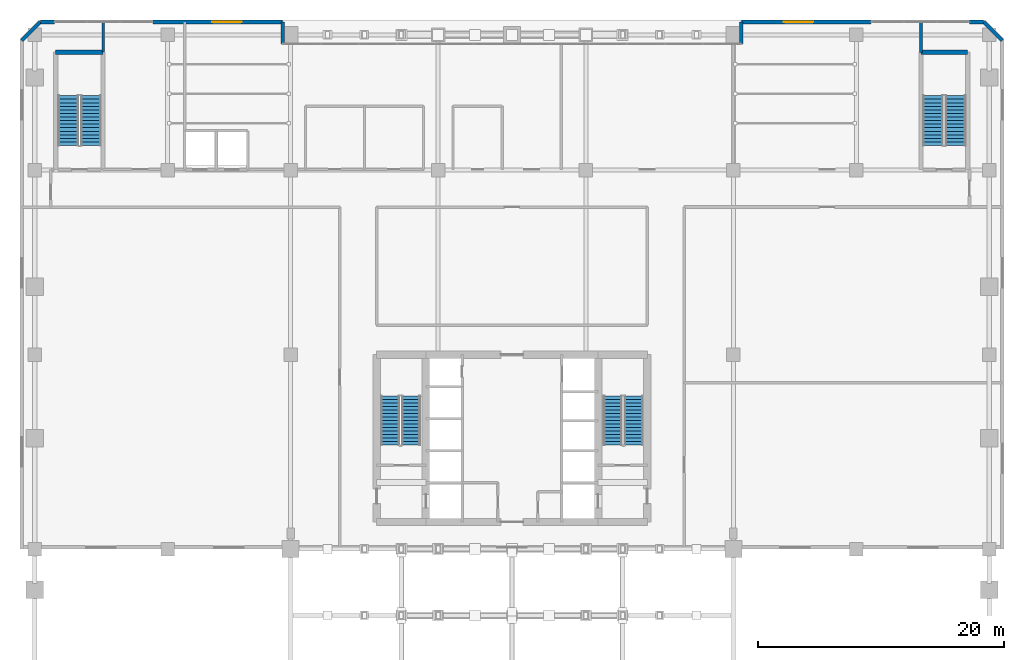
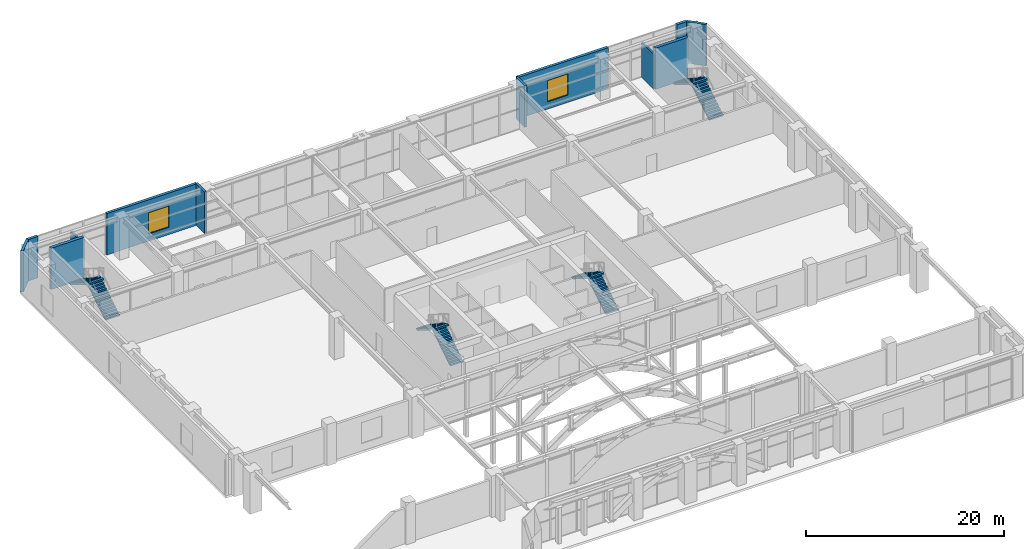
# One storey, part 29 of 32: 12 walls, 8 stair flights, 2 windows, 2 openings, 4 elements without a shape of their own.
"""IFC4 building model written with IfcOpenShell, lengths in metres."""

from ifc_helpers import new_model, si_unit, direction, frame, frame_2d, origin, place, context, subcontext, project, spatial, polyline, rectangle, outline, extrude, material, layer, layer_set, type_object, element, fill, aggregate, save


model = new_model("IFC4")

# Units and contexts
model_context = context("Model", 3, precision=1e-05, world=origin(), true_north=direction((0.0, 1.0)))
body_context = subcontext(model_context, "Body", "Model", "MODEL_VIEW")
ifc_project = project(units=[si_unit("LENGTHUNIT", "METRE"), si_unit("AREAUNIT", "SQUARE_METRE"), si_unit("VOLUMEUNIT", "CUBIC_METRE"), si_unit("PLANEANGLEUNIT", "RADIAN"), si_unit("MASSUNIT", "GRAM", prefix="KILO")], contexts=[model_context])

# Site, building, storey
site_placement = place(None, origin())
site = spatial("IfcSite", under=ifc_project, at=site_placement, CompositionType="ELEMENT")
building_placement = place(site_placement, origin())
building = spatial("IfcBuilding", under=site, at=building_placement, Name="Sarneth Arch Tower", CompositionType="ELEMENT")
storey_placement = place(building_placement, frame((0.0, 0.0, 11.39990234375)))
storey = spatial("IfcBuildingStorey", under=building, at=storey_placement, Name="L02", CompositionType="ELEMENT", Elevation=11.39990234375)

# Walls
ifc_material_1 = material(Name="Concrete C50/60", Category="concrete")
ifc_layer_1 = layer(ifc_material_1, 0.35009765625)
ifc_layer_set_1 = layer_set([ifc_layer_1], Name="Concrete C50/60")
wall_type_1 = type_object("IfcWallType", Name="WALL-CORE-350", PredefinedType="SHEAR", material=ifc_layer_set_1)
wall_1_placement = place(storey_placement, frame((10.89990234375, 73.39990234375, 0.0), z_axis=(0.0, 0.0, 1.0), x_axis=(1.0, 0.0, 0.0)))
element("IfcWall", 1, at=wall_1_placement, inside=storey, type_object=wall_type_1, Name="L02 Podium stair core wall STP1-N", PredefinedType="SHEAR", context=body_context, shape_type="SweptSolid", body=[
    extrude(rectangle(XDim=3.85009765625, YDim=0.35009765625, at=frame_2d((1.925048828125, 0.0))), origin(), (0.0, 0.0, 1.0), 5.10009765625),
])
wall_2_placement = place(storey_placement, frame((81.25, 73.39990234375, 0.0), z_axis=(0.0, 0.0, 1.0), x_axis=(1.0, 0.0, 0.0)))
element("IfcWall", 2, at=wall_2_placement, inside=storey, type_object=wall_type_1, Name="L02 Podium stair core wall STP2-N", PredefinedType="SHEAR", context=body_context, shape_type="SweptSolid", body=[
    extrude(rectangle(XDim=3.800048828125, YDim=0.35009765625, at=frame_2d((1.89990234375, 0.0))), origin(), (0.0, 0.0, 1.0), 5.10009765625),
])
ifc_material_2 = material(Name="Extruded terracotta rainscreen on Concrete C40/50 backing", Category="masonry")
ifc_layer_2 = layer(ifc_material_2, 0.280029296875)
ifc_layer_set_2 = layer_set([ifc_layer_2], Name="Extruded terracotta rainscreen on Concrete C40/50 backing")
wall_type_2 = type_object("IfcWallType", Name="WALL-EXT-TERRA-280", PredefinedType="SOLIDWALL", material=ifc_layer_set_2)
for number, where, z_axis, x_axis, name in (
    (3, (66.64990234375, 75.85009765625, 0.0), (0.0, 0.0, 1.0), (0.0, -1.0, 0.0), "L02 North-east arch portal return"),
    (4, (29.35009765625, 74.050048828125, 0.0), (0.0, 0.0, 1.0), (0.0, 1.0, 0.0), "L02 North-west arch portal return"),
):
    element("IfcWall", number, at=place(storey_placement, frame(where, z_axis=z_axis, x_axis=x_axis)), inside=storey, type_object=wall_type_2, Name=name, PredefinedType="SOLIDWALL", context=body_context, shape_type="SweptSolid", body=[
        extrude(rectangle(XDim=1.800048828125, YDim=0.280029296875, at=frame_2d((0.89990234375, 0.0))), origin(), (0.0, 0.0, 1.0), 5.10009765625),
    ])
for number, where, z_axis, x_axis, name in (
    (5, (87.85009765625, 74.35009765625, 0.0), (0.0, 0.0, 1.0), (-0.707106781187, 0.707106781187, 0.0), "L02 Podium chamfer terracotta wall NE"),
    (6, (9.64990234375, 75.85009765625, 0.0), (0.0, 0.0, 1.0), (-0.707106781187, -0.707106781187, 0.0), "L02 Podium chamfer terracotta wall NW"),
):
    element("IfcWall", number, at=place(storey_placement, frame(where, z_axis=z_axis, x_axis=x_axis)), inside=storey, type_object=wall_type_2, Name=name, PredefinedType="SOLIDWALL", context=body_context, shape_type="SweptSolid", body=[
        extrude(rectangle(XDim=2.121337890625, YDim=0.280029296875, at=frame_2d((1.060546875, 0.0))), origin(), (0.0, 0.0, 1.0), 5.10009765625),
    ])
ifc_material_3 = material(Name="Extruded terracotta rainscreen on Concrete C40/50 backing", Category="masonry")
ifc_layer_3 = layer(ifc_material_3, 0.320068359375)
ifc_layer_set_3 = layer_set([ifc_layer_3], Name="Extruded terracotta rainscreen on Concrete C40/50 backing")
wall_type_3 = type_object("IfcWallType", Name="WALL-EXT-TERRA-320", PredefinedType="SOLIDWALL", material=ifc_layer_set_3)
for number, where, z_axis, x_axis, name in (
    (7, (86.35009765625, 75.85009765625, 0.0), (0.0, 0.0, 1.0), (-1.0, 0.0, 0.0), "L02 North-east pier"),
    (8, (10.800048828125, 75.85009765625, 0.0), (0.0, 0.0, 1.0), (-1.0, 0.0, 0.0), "L02 North-west pier"),
):
    element("IfcWall", number, at=place(storey_placement, frame(where, z_axis=z_axis, x_axis=x_axis)), inside=storey, type_object=wall_type_3, Name=name, PredefinedType="SOLIDWALL", context=body_context, shape_type="SweptSolid", body=[
        extrude(rectangle(XDim=1.150146484375, YDim=0.320068359375, at=frame_2d((0.5751953125, 0.0))), origin(), (0.0, 0.0, 1.0), 5.10009765625),
    ])

# Wall, opening, window
wall_3_placement = place(storey_placement, frame((66.64990234375, 75.85009765625, 0.0), z_axis=(0.0, 0.0, 1.0), x_axis=(1.0, 0.0, 0.0)))
wall_3 = element("IfcWall", 9, at=wall_3_placement, inside=storey, type_object=wall_type_3, Name="L02 North-east podium wing wall", PredefinedType="SOLIDWALL", context=body_context, shape_type="SweptSolid", body=[
    extrude(rectangle(XDim=10.550048828125, YDim=0.320068359375, at=frame_2d((5.27490234375, 0.0))), origin(), (0.0, 0.0, 1.0), 5.10009765625),
])
opening_1_placement = place(wall_3_placement, frame((3.449951171875, 0.0, 0.89990234375)))
opening_1 = element("IfcOpeningElement", 10, at=opening_1_placement, cuts=wall_3, Name="Opening W-02", PredefinedType="OPENING", context=body_context, shape_type="SweptSolid", body=[
    extrude(rectangle(XDim=2.39990234375, YDim=2.60009765625, at=frame_2d((1.199951171875, 1.300048828125))), frame((0.0, 0.169921875, 0.0), z_axis=(0.0, -1.0, 0.0), x_axis=(1.0, 0.0, 0.0)), (0.0, 0.0, 1.0), 0.340087890625),
])
ifc_material_4 = material(Name="Thermally broken Aluminium 6063-T6 and low-e laminated IGU", Category="aluminium")
window_type = type_object("IfcWindowType", Name="WIN-POD-2400x2600", PartitioningType="DOUBLE_PANEL_VERTICAL", PredefinedType="WINDOW", material=ifc_material_4)
window_1_placement = place(opening_1_placement, origin())
window_1 = element("IfcWindow", 11, at=window_1_placement, inside=storey, type_object=window_type, Name="L02 North wing window 1.1", OverallHeight=2.60009765625, OverallWidth=2.39990234375, PartitioningType="SINGLE_PANEL", PredefinedType="WINDOW", context=body_context, shape_type="SweptSolid", body=[
    extrude(rectangle(XDim=2.39990234375, YDim=2.60009765625, at=frame_2d((1.199951171875, 1.300048828125))), frame((0.0, 0.030029296875, 0.0), z_axis=(0.0, -1.0, 0.0), x_axis=(1.0, 0.0, 0.0)), (0.0, 0.0, 1.0), 0.06005859375),
])
fill(opening_1, window_1)

wall_4_placement = place(storey_placement, frame((18.800048828125, 75.85009765625, 0.0), z_axis=(0.0, 0.0, 1.0), x_axis=(1.0, 0.0, 0.0)))
wall_4 = element("IfcWall", 12, at=wall_4_placement, inside=storey, type_object=wall_type_3, Name="L02 North-west podium wing wall", PredefinedType="SOLIDWALL", context=body_context, shape_type="SweptSolid", body=[
    extrude(rectangle(XDim=10.550048828125, YDim=0.320068359375, at=frame_2d((5.27490234375, 0.0))), origin(), (0.0, 0.0, 1.0), 5.10009765625),
])
opening_2_placement = place(wall_4_placement, frame((4.824951171875, 0.0, 0.89990234375)))
opening_2 = element("IfcOpeningElement", 13, at=opening_2_placement, cuts=wall_4, Name="Opening W-02", PredefinedType="OPENING", context=body_context, shape_type="SweptSolid", body=[
    extrude(rectangle(XDim=2.39990234375, YDim=2.60009765625, at=frame_2d((1.199951171875, 1.300048828125))), frame((0.0, 0.169921875, 0.0), z_axis=(0.0, -1.0, 0.0), x_axis=(1.0, 0.0, 0.0)), (0.0, 0.0, 1.0), 0.340087890625),
])
window_2_placement = place(opening_2_placement, origin())
window_2 = element("IfcWindow", 14, at=window_2_placement, inside=storey, type_object=window_type, Name="L02 North wing window 2.1", OverallHeight=2.60009765625, OverallWidth=2.39990234375, PartitioningType="SINGLE_PANEL", PredefinedType="WINDOW", context=body_context, shape_type="SweptSolid", body=[
    extrude(rectangle(XDim=2.39990234375, YDim=2.60009765625, at=frame_2d((1.199951171875, 1.300048828125))), frame((0.0, 0.030029296875, 0.0), z_axis=(0.0, -1.0, 0.0), x_axis=(1.0, 0.0, 0.0)), (0.0, 0.0, 1.0), 0.06005859375),
])
fill(opening_2, window_2)

# Walls
ifc_material_5 = material(Name="Aerated concrete blockwork C25/30", Category="masonry")
ifc_layer_4 = layer(ifc_material_5, 0.219970703125)
ifc_layer_set_4 = layer_set([ifc_layer_4], Name="Aerated concrete blockwork C25/30")
wall_type_4 = type_object("IfcWallType", Name="WALL-FIRE-220", PredefinedType="SOLIDWALL", material=ifc_layer_set_4)
wall_5_placement = place(storey_placement, frame((81.25, 75.85009765625, 0.0), z_axis=(0.0, 0.0, 1.0), x_axis=(0.0, -1.0, 0.0)))
element("IfcWall", 15, at=wall_5_placement, inside=storey, type_object=wall_type_4, Name="L02 Interior partition W-L02-TP-036", PredefinedType="SOLIDWALL", context=body_context, shape_type="SweptSolid", body=[
    extrude(rectangle(XDim=2.482177734375, YDim=0.219970703125, at=frame_2d((1.2412109375, 0.0))), origin(), (0.0, 0.0, 1.0), 4.300048828125),
])
ifc_material_6 = material(Name="Double steel-stud acoustic drywall", Category="steel")
ifc_layer_5 = layer(ifc_material_6, 0.199951171875)
ifc_layer_set_5 = layer_set([ifc_layer_5], Name="Double steel-stud acoustic drywall")
wall_type_5 = type_object("IfcWallType", Name="WALL-UNIT-200", PredefinedType="PARTITIONING", material=ifc_layer_set_5)
wall_6_placement = place(storey_placement, frame((14.75, 75.85009765625, 0.0), z_axis=(0.0, 0.0, 1.0), x_axis=(0.0, -1.0, 0.0)))
element("IfcWall", 16, at=wall_6_placement, inside=storey, type_object=wall_type_5, Name="L02 Interior partition W-L02-TP-037", PredefinedType="PARTITIONING", context=body_context, shape_type="SweptSolid", body=[
    extrude(rectangle(XDim=2.4501953125, YDim=0.199951171875, at=frame_2d((1.22509765625, 0.0))), origin(), (0.0, 0.0, 1.0), 4.300048828125),
])

# Stair, stair flights
ifc_material_7 = material(Name="Concrete C50/60", Category="concrete")
stair_type_1 = type_object("IfcStairType", Name="STAIR-CORE-RC", PredefinedType="HALF_TURN_STAIR", material=ifc_material_7)
stair_1_placement = place(storey_placement, origin())
stair_1 = element("IfcStair", 17, at=stair_1_placement, inside=storey, type_object=stair_type_1, Name="L02 Core Exit Stair 1", PredefinedType="HALF_TURN_STAIR")
ifc_material_8 = material(Name="Concrete C50/60", Category="concrete")
stair_flight_type_1 = type_object("IfcStairFlightType", Name="FLIGHT-RC-1500", PredefinedType="STRAIGHT", material=ifc_material_8)
stair_flight_1_placement = place(storey_placement, frame((39.800048828125, 41.449951171875, 0.0), z_axis=(0.0, 0.0, 1.0), x_axis=(0.0, 1.0, 0.0)))
stair_flight_1 = element("IfcStairFlight", 18, at=stair_flight_1_placement, type_object=stair_flight_type_1, Name="ST-1 flight 1", NumberOfRisers=15, NumberOfTreads=14, PredefinedType="STRAIGHT", RiserHeight=0.18, TreadLength=0.285, context=body_context, shape_type="SweptSolid", body=[
    extrude(outline(polyline([(0.0, 0.0), (0.0, 0.179931640625), (0.284912109375, 0.179931640625), (0.284912109375, 0.360107421875), (0.570068359375, 0.360107421875), (0.570068359375, 0.5400390625), (0.85498046875, 0.5400390625), (0.85498046875, 0.719970703125), (1.139892578125, 0.719970703125), (1.139892578125, 0.89990234375), (1.425048828125, 0.89990234375), (1.425048828125, 1.080078125), (1.7099609375, 1.080078125), (1.7099609375, 1.260009765625), (1.9951171875, 1.260009765625), (1.9951171875, 1.43994140625), (2.280029296875, 1.43994140625), (2.280029296875, 1.6201171875), (2.56494140625, 1.6201171875), (2.56494140625, 1.800048828125), (2.85009765625, 1.800048828125), (2.85009765625, 1.97998046875), (3.135009765625, 1.97998046875), (3.135009765625, 2.159912109375), (3.419921875, 2.159912109375), (3.419921875, 2.340087890625), (3.705078125, 2.340087890625), (3.705078125, 2.52001953125), (3.989990234375, 2.52001953125), (3.989990234375, 2.699951171875), (3.989990234375, 2.3427734375), (0.28076171875, 0.0), (0.0, 0.0)])), frame((0.0, 0.75, 0.0), z_axis=(0.0, -1.0, 0.0), x_axis=(1.0, 0.0, 0.0)), (0.0, 0.0, 1.0), 1.5),
])
stair_flight_2_placement = place(storey_placement, frame((38.10009765625, 45.43994140625, 2.7001953125), z_axis=(0.0, 0.0, 1.0), x_axis=(0.0, -1.0, 0.0)))
stair_flight_2 = element("IfcStairFlight", 19, at=stair_flight_2_placement, type_object=stair_flight_type_1, Name="ST-1 flight 2", NumberOfRisers=15, NumberOfTreads=14, PredefinedType="STRAIGHT", RiserHeight=0.18, TreadLength=0.285, context=body_context, shape_type="SweptSolid", body=[
    extrude(outline(polyline([(0.0, 0.0), (0.0, 0.179931640625), (0.284912109375, 0.179931640625), (0.284912109375, 0.360107421875), (0.570068359375, 0.360107421875), (0.570068359375, 0.5400390625), (0.85498046875, 0.5400390625), (0.85498046875, 0.719970703125), (1.139892578125, 0.719970703125), (1.139892578125, 0.89990234375), (1.425048828125, 0.89990234375), (1.425048828125, 1.080078125), (1.7099609375, 1.080078125), (1.7099609375, 1.260009765625), (1.9951171875, 1.260009765625), (1.9951171875, 1.43994140625), (2.280029296875, 1.43994140625), (2.280029296875, 1.6201171875), (2.56494140625, 1.6201171875), (2.56494140625, 1.800048828125), (2.85009765625, 1.800048828125), (2.85009765625, 1.97998046875), (3.135009765625, 1.97998046875), (3.135009765625, 2.159912109375), (3.419921875, 2.159912109375), (3.419921875, 2.340087890625), (3.705078125, 2.340087890625), (3.705078125, 2.52001953125), (3.989990234375, 2.52001953125), (3.989990234375, 2.699951171875), (3.989990234375, 2.3427734375), (0.28076171875, 0.0), (0.0, 0.0)])), frame((0.0, 0.75, 0.0), z_axis=(0.0, -1.0, 0.0), x_axis=(1.0, 0.0, 0.0)), (0.0, 0.0, 1.0), 1.5),
])
aggregate(stair_1, [stair_flight_1, stair_flight_2])

stair_2_placement = place(storey_placement, origin())
stair_2 = element("IfcStair", 20, at=stair_2_placement, inside=storey, type_object=stair_type_1, Name="L02 Core Exit Stair 2", PredefinedType="HALF_TURN_STAIR")
stair_flight_3_placement = place(storey_placement, frame((57.89990234375, 41.449951171875, 0.0), z_axis=(0.0, 0.0, 1.0), x_axis=(0.0, 1.0, 0.0)))
stair_flight_3 = element("IfcStairFlight", 21, at=stair_flight_3_placement, type_object=stair_flight_type_1, Name="ST-2 flight 1", NumberOfRisers=15, NumberOfTreads=14, PredefinedType="STRAIGHT", RiserHeight=0.18, TreadLength=0.285, context=body_context, shape_type="SweptSolid", body=[
    extrude(outline(polyline([(0.0, 0.0), (0.0, 0.179931640625), (0.284912109375, 0.179931640625), (0.284912109375, 0.360107421875), (0.570068359375, 0.360107421875), (0.570068359375, 0.5400390625), (0.85498046875, 0.5400390625), (0.85498046875, 0.719970703125), (1.139892578125, 0.719970703125), (1.139892578125, 0.89990234375), (1.425048828125, 0.89990234375), (1.425048828125, 1.080078125), (1.7099609375, 1.080078125), (1.7099609375, 1.260009765625), (1.9951171875, 1.260009765625), (1.9951171875, 1.43994140625), (2.280029296875, 1.43994140625), (2.280029296875, 1.6201171875), (2.56494140625, 1.6201171875), (2.56494140625, 1.800048828125), (2.85009765625, 1.800048828125), (2.85009765625, 1.97998046875), (3.135009765625, 1.97998046875), (3.135009765625, 2.159912109375), (3.419921875, 2.159912109375), (3.419921875, 2.340087890625), (3.705078125, 2.340087890625), (3.705078125, 2.52001953125), (3.989990234375, 2.52001953125), (3.989990234375, 2.699951171875), (3.989990234375, 2.3427734375), (0.28076171875, 0.0), (0.0, 0.0)])), frame((0.0, 0.75, 0.0), z_axis=(0.0, -1.0, 0.0), x_axis=(1.0, 0.0, 0.0)), (0.0, 0.0, 1.0), 1.5),
])
stair_flight_4_placement = place(storey_placement, frame((56.199951171875, 45.43994140625, 2.7001953125), z_axis=(0.0, 0.0, 1.0), x_axis=(0.0, -1.0, 0.0)))
stair_flight_4 = element("IfcStairFlight", 22, at=stair_flight_4_placement, type_object=stair_flight_type_1, Name="ST-2 flight 2", NumberOfRisers=15, NumberOfTreads=14, PredefinedType="STRAIGHT", RiserHeight=0.18, TreadLength=0.285, context=body_context, shape_type="SweptSolid", body=[
    extrude(outline(polyline([(0.0, 0.0), (0.0, 0.179931640625), (0.284912109375, 0.179931640625), (0.284912109375, 0.360107421875), (0.570068359375, 0.360107421875), (0.570068359375, 0.5400390625), (0.85498046875, 0.5400390625), (0.85498046875, 0.719970703125), (1.139892578125, 0.719970703125), (1.139892578125, 0.89990234375), (1.425048828125, 0.89990234375), (1.425048828125, 1.080078125), (1.7099609375, 1.080078125), (1.7099609375, 1.260009765625), (1.9951171875, 1.260009765625), (1.9951171875, 1.43994140625), (2.280029296875, 1.43994140625), (2.280029296875, 1.6201171875), (2.56494140625, 1.6201171875), (2.56494140625, 1.800048828125), (2.85009765625, 1.800048828125), (2.85009765625, 1.97998046875), (3.135009765625, 1.97998046875), (3.135009765625, 2.159912109375), (3.419921875, 2.159912109375), (3.419921875, 2.340087890625), (3.705078125, 2.340087890625), (3.705078125, 2.52001953125), (3.989990234375, 2.52001953125), (3.989990234375, 2.699951171875), (3.989990234375, 2.3427734375), (0.28076171875, 0.0), (0.0, 0.0)])), frame((0.0, 0.75, 0.0), z_axis=(0.0, -1.0, 0.0), x_axis=(1.0, 0.0, 0.0)), (0.0, 0.0, 1.0), 1.5),
])
aggregate(stair_2, [stair_flight_3, stair_flight_4])

ifc_material_9 = material(Name="Concrete C50/60", Category="concrete")
stair_type_2 = type_object("IfcStairType", Name="STAIR-PODIUM-RC", PredefinedType="HALF_TURN_STAIR", material=ifc_material_9)
stair_3_placement = place(storey_placement, origin())
stair_3 = element("IfcStair", 23, at=stair_3_placement, inside=storey, type_object=stair_type_2, Name="L02 Podium Exit Stair P1", PredefinedType="HALF_TURN_STAIR")
ifc_material_10 = material(Name="Concrete C50/60", Category="concrete")
stair_flight_type_2 = type_object("IfcStairFlightType", Name="FLIGHT-RC-1650", PredefinedType="STRAIGHT", material=ifc_material_10)
stair_flight_5_placement = place(storey_placement, frame((13.77490234375, 65.800048828125, 0.0), z_axis=(0.0, 0.0, 1.0), x_axis=(0.0, 1.0, 0.0)))
stair_flight_5 = element("IfcStairFlight", 24, at=stair_flight_5_placement, type_object=stair_flight_type_2, Name="ST-P1 flight 1", NumberOfRisers=15, NumberOfTreads=14, PredefinedType="STRAIGHT", RiserHeight=0.18, TreadLength=0.29, context=body_context, shape_type="SweptSolid", body=[
    extrude(outline(polyline([(0.0, 0.0), (0.0, 0.179931640625), (0.2900390625, 0.179931640625), (0.2900390625, 0.360107421875), (0.580078125, 0.360107421875), (0.580078125, 0.5400390625), (0.8701171875, 0.5400390625), (0.8701171875, 0.719970703125), (1.159912109375, 0.719970703125), (1.159912109375, 0.89990234375), (1.449951171875, 0.89990234375), (1.449951171875, 1.080078125), (1.739990234375, 1.080078125), (1.739990234375, 1.260009765625), (2.030029296875, 1.260009765625), (2.030029296875, 1.43994140625), (2.320068359375, 1.43994140625), (2.320068359375, 1.6201171875), (2.610107421875, 1.6201171875), (2.610107421875, 1.800048828125), (2.89990234375, 1.800048828125), (2.89990234375, 1.97998046875), (3.18994140625, 1.97998046875), (3.18994140625, 2.159912109375), (3.47998046875, 2.159912109375), (3.47998046875, 2.340087890625), (3.77001953125, 2.340087890625), (3.77001953125, 2.52001953125), (4.06005859375, 2.52001953125), (4.06005859375, 2.699951171875), (4.06005859375, 2.343505859375), (0.2841796875, 0.0), (0.0, 0.0)])), frame((0.0, 0.824951171875, 0.0), z_axis=(0.0, -1.0, 0.0), x_axis=(1.0, 0.0, 0.0)), (0.0, 0.0, 1.0), 1.64990234375),
])
stair_flight_6_placement = place(storey_placement, frame((11.925048828125, 69.860107421875, 2.7001953125), z_axis=(0.0, 0.0, 1.0), x_axis=(0.0, -1.0, 0.0)))
stair_flight_6 = element("IfcStairFlight", 25, at=stair_flight_6_placement, type_object=stair_flight_type_2, Name="ST-P1 flight 2", NumberOfRisers=15, NumberOfTreads=14, PredefinedType="STRAIGHT", RiserHeight=0.18, TreadLength=0.29, context=body_context, shape_type="SweptSolid", body=[
    extrude(outline(polyline([(0.0, 0.0), (0.0, 0.179931640625), (0.2900390625, 0.179931640625), (0.2900390625, 0.360107421875), (0.580078125, 0.360107421875), (0.580078125, 0.5400390625), (0.8701171875, 0.5400390625), (0.8701171875, 0.719970703125), (1.159912109375, 0.719970703125), (1.159912109375, 0.89990234375), (1.449951171875, 0.89990234375), (1.449951171875, 1.080078125), (1.739990234375, 1.080078125), (1.739990234375, 1.260009765625), (2.030029296875, 1.260009765625), (2.030029296875, 1.43994140625), (2.320068359375, 1.43994140625), (2.320068359375, 1.6201171875), (2.610107421875, 1.6201171875), (2.610107421875, 1.800048828125), (2.89990234375, 1.800048828125), (2.89990234375, 1.97998046875), (3.18994140625, 1.97998046875), (3.18994140625, 2.159912109375), (3.47998046875, 2.159912109375), (3.47998046875, 2.340087890625), (3.77001953125, 2.340087890625), (3.77001953125, 2.52001953125), (4.06005859375, 2.52001953125), (4.06005859375, 2.699951171875), (4.06005859375, 2.343505859375), (0.2841796875, 0.0), (0.0, 0.0)])), frame((0.0, 0.824951171875, 0.0), z_axis=(0.0, -1.0, 0.0), x_axis=(1.0, 0.0, 0.0)), (0.0, 0.0, 1.0), 1.64990234375),
])
aggregate(stair_3, [stair_flight_5, stair_flight_6])

stair_4_placement = place(storey_placement, origin())
stair_4 = element("IfcStair", 26, at=stair_4_placement, inside=storey, type_object=stair_type_2, Name="L02 Podium Exit Stair P2", PredefinedType="HALF_TURN_STAIR")
stair_flight_7_placement = place(storey_placement, frame((84.074951171875, 65.800048828125, 0.0), z_axis=(0.0, 0.0, 1.0), x_axis=(0.0, 1.0, 0.0)))
stair_flight_7 = element("IfcStairFlight", 27, at=stair_flight_7_placement, type_object=stair_flight_type_2, Name="ST-P2 flight 1", NumberOfRisers=15, NumberOfTreads=14, PredefinedType="STRAIGHT", RiserHeight=0.18, TreadLength=0.29, context=body_context, shape_type="SweptSolid", body=[
    extrude(outline(polyline([(0.0, 0.0), (0.0, 0.179931640625), (0.2900390625, 0.179931640625), (0.2900390625, 0.360107421875), (0.580078125, 0.360107421875), (0.580078125, 0.5400390625), (0.8701171875, 0.5400390625), (0.8701171875, 0.719970703125), (1.159912109375, 0.719970703125), (1.159912109375, 0.89990234375), (1.449951171875, 0.89990234375), (1.449951171875, 1.080078125), (1.739990234375, 1.080078125), (1.739990234375, 1.260009765625), (2.030029296875, 1.260009765625), (2.030029296875, 1.43994140625), (2.320068359375, 1.43994140625), (2.320068359375, 1.6201171875), (2.610107421875, 1.6201171875), (2.610107421875, 1.800048828125), (2.89990234375, 1.800048828125), (2.89990234375, 1.97998046875), (3.18994140625, 1.97998046875), (3.18994140625, 2.159912109375), (3.47998046875, 2.159912109375), (3.47998046875, 2.340087890625), (3.77001953125, 2.340087890625), (3.77001953125, 2.52001953125), (4.06005859375, 2.52001953125), (4.06005859375, 2.699951171875), (4.06005859375, 2.343505859375), (0.2841796875, 0.0), (0.0, 0.0)])), frame((0.0, 0.824951171875, 0.0), z_axis=(0.0, -1.0, 0.0), x_axis=(1.0, 0.0, 0.0)), (0.0, 0.0, 1.0), 1.64990234375),
])
stair_flight_8_placement = place(storey_placement, frame((82.22509765625, 69.860107421875, 2.7001953125), z_axis=(0.0, 0.0, 1.0), x_axis=(0.0, -1.0, 0.0)))
stair_flight_8 = element("IfcStairFlight", 28, at=stair_flight_8_placement, type_object=stair_flight_type_2, Name="ST-P2 flight 2", NumberOfRisers=15, NumberOfTreads=14, PredefinedType="STRAIGHT", RiserHeight=0.18, TreadLength=0.29, context=body_context, shape_type="SweptSolid", body=[
    extrude(outline(polyline([(0.0, 0.0), (0.0, 0.179931640625), (0.2900390625, 0.179931640625), (0.2900390625, 0.360107421875), (0.580078125, 0.360107421875), (0.580078125, 0.5400390625), (0.8701171875, 0.5400390625), (0.8701171875, 0.719970703125), (1.159912109375, 0.719970703125), (1.159912109375, 0.89990234375), (1.449951171875, 0.89990234375), (1.449951171875, 1.080078125), (1.739990234375, 1.080078125), (1.739990234375, 1.260009765625), (2.030029296875, 1.260009765625), (2.030029296875, 1.43994140625), (2.320068359375, 1.43994140625), (2.320068359375, 1.6201171875), (2.610107421875, 1.6201171875), (2.610107421875, 1.800048828125), (2.89990234375, 1.800048828125), (2.89990234375, 1.97998046875), (3.18994140625, 1.97998046875), (3.18994140625, 2.159912109375), (3.47998046875, 2.159912109375), (3.47998046875, 2.340087890625), (3.77001953125, 2.340087890625), (3.77001953125, 2.52001953125), (4.06005859375, 2.52001953125), (4.06005859375, 2.699951171875), (4.06005859375, 2.343505859375), (0.2841796875, 0.0), (0.0, 0.0)])), frame((0.0, 0.824951171875, 0.0), z_axis=(0.0, -1.0, 0.0), x_axis=(1.0, 0.0, 0.0)), (0.0, 0.0, 1.0), 1.64990234375),
])
aggregate(stair_4, [stair_flight_7, stair_flight_8])

save(model, "model.ifc")
